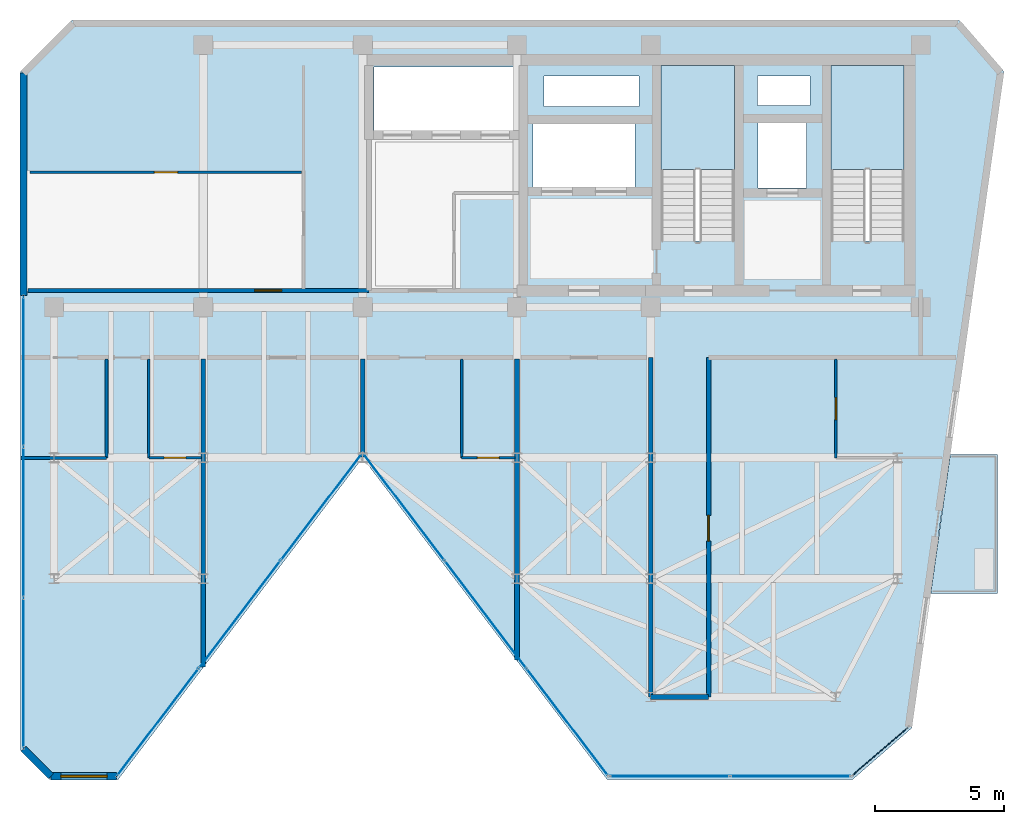
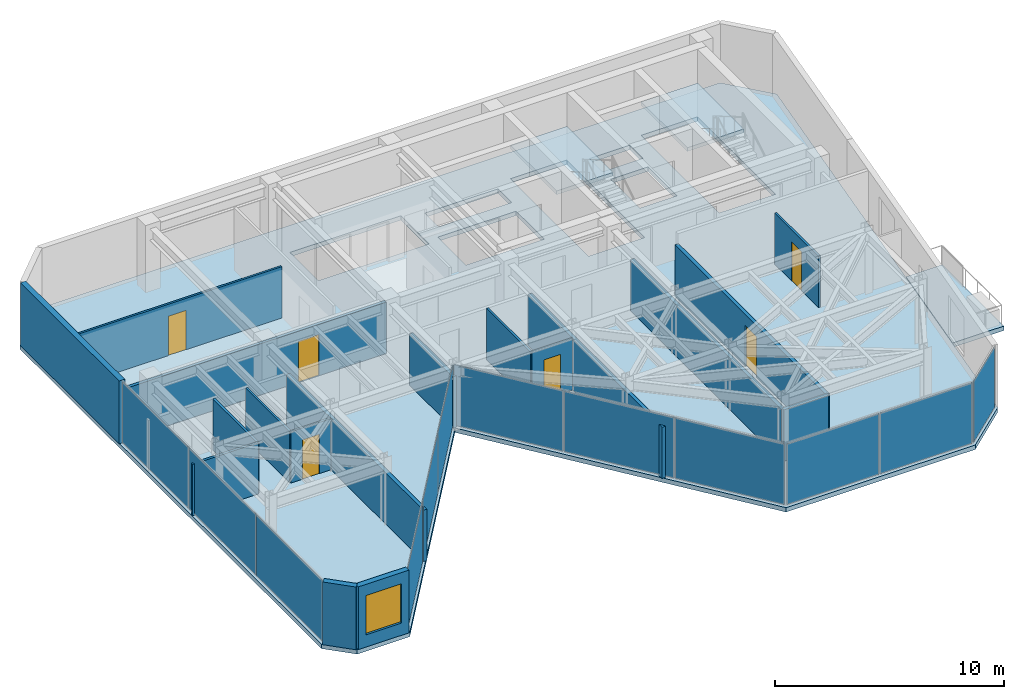
# One storey, part 13 of 17: 18 walls, 12 plates, 6 doors, 4 slabs, 1 window, 7 openings, 7 elements without a shape of their own.
"""IFC4 building model written with IfcOpenShell, lengths in metres."""

from ifc_helpers import new_model, si_unit, direction, frame, frame_2d, origin, origin_2d, place, context, subcontext, project, spatial, polyline, rectangle, outline, extrude, material, layer, layer_set, type_object, element, fill, aggregate, save


model = new_model("IFC4")

# Units and contexts
model_context = context("Model", 3, precision=1e-05, world=origin(), true_north=direction((0.0, 1.0)))
body_context = subcontext(model_context, "Body", "Model", "MODEL_VIEW")
ifc_project = project(units=[si_unit("LENGTHUNIT", "METRE"), si_unit("AREAUNIT", "SQUARE_METRE"), si_unit("VOLUMEUNIT", "CUBIC_METRE"), si_unit("PLANEANGLEUNIT", "RADIAN"), si_unit("MASSUNIT", "GRAM", prefix="KILO")], contexts=[model_context])

# Site, building, storey
site_placement = place(None, origin())
site = spatial("IfcSite", under=ifc_project, at=site_placement, CompositionType="ELEMENT")
building_placement = place(site_placement, origin())
building = spatial("IfcBuilding", under=site, at=building_placement, Name="Kravanh Interchange Tower", CompositionType="ELEMENT")
storey_placement = place(building_placement, frame((0.0, 0.0, 293.10009765625)))
storey = spatial("IfcBuildingStorey", under=building, at=storey_placement, Name="L72", CompositionType="ELEMENT", Elevation=293.10009765625)

# Curtain wall, plates
ifc_material_1 = material(Name="Anodised Bronze Aluminium", Category="aluminium")
ifc_layer_1 = layer(ifc_material_1, 0.179931640625)
ifc_layer_set_1 = layer_set([ifc_layer_1], Name="Unitised Curtain Wall System CW-HTL Luxury Hotel")
curtain_wall_type = type_object("IfcCurtainWallType", Name="Unitised Curtain Wall System CW-HTL Luxury Hotel", PredefinedType="NOTDEFINED", material=ifc_layer_set_1)
curtain_wall_1_placement = place(storey_placement, origin())
curtain_wall_1 = element("IfcCurtainWall", 1, at=curtain_wall_1_placement, inside=storey, type_object=curtain_wall_type, Name="L72 Unitised Curtain Wall CW-L72-01", PredefinedType="NOTDEFINED")
ifc_material_2 = material(Name="Low-E Laminated Architectural Glass", Category="glass")
ifc_layer_2 = layer(ifc_material_2, 0.030029296875)
ifc_layer_set_2 = layer_set([ifc_layer_2], Name="Acoustic Laminated Glazing 30mm")
plate_type = type_object("IfcPlateType", Name="Acoustic Laminated Glazing 30mm", PredefinedType="CURTAIN_PANEL", material=ifc_layer_set_2)
plate_1_placement = place(storey_placement, frame((31.6201171875, 23.1396484375, 0.059814453125), z_axis=(0.0, 0.0, 1.0), x_axis=(0.0, 1.0, 0.0)))
plate_1 = element("IfcPlate", 2, at=plate_1_placement, type_object=plate_type, Name="CW-HTL panel 1.1", PredefinedType="CURTAIN_PANEL", context=body_context, shape_type="SweptSolid", body=[
    extrude(rectangle(XDim=5.780029296875, YDim=0.030029296875, at=origin_2d()), origin(), (0.0, 0.0, 1.0), 3.22998046875),
])
plate_2_placement = place(storey_placement, frame((31.6201171875, 28.994873046875, 0.059814453125), z_axis=(0.0, 0.0, 1.0), x_axis=(0.0, 1.0, 0.0)))
plate_2 = element("IfcPlate", 3, at=plate_2_placement, type_object=plate_type, Name="CW-HTL panel 2.1", PredefinedType="CURTAIN_PANEL", context=body_context, shape_type="SweptSolid", body=[
    extrude(rectangle(XDim=5.81005859375, YDim=0.030029296875, at=origin_2d()), origin(), (0.0, 0.0, 1.0), 3.22998046875),
])
plate_3_placement = place(storey_placement, frame((31.6201171875, 34.849853515625, 0.059814453125), z_axis=(0.0, 0.0, 1.0), x_axis=(0.0, 1.0, 0.0)))
plate_3 = element("IfcPlate", 4, at=plate_3_placement, type_object=plate_type, Name="CW-HTL panel 3.1", PredefinedType="CURTAIN_PANEL", context=body_context, shape_type="SweptSolid", body=[
    extrude(rectangle(XDim=5.780029296875, YDim=0.030029296875, at=origin_2d()), origin(), (0.0, 0.0, 1.0), 3.22998046875),
])
aggregate(curtain_wall_1, [plate_1, plate_2, plate_3])

# Curtain wall, plate
curtain_wall_2_placement = place(storey_placement, origin())
curtain_wall_2 = element("IfcCurtainWall", 5, at=curtain_wall_2_placement, inside=storey, type_object=curtain_wall_type, Name="L72 Unitised Curtain Wall CW-L72-02", PredefinedType="NOTDEFINED")
plate_4_placement = place(storey_placement, frame((64.91455078125, 20.080810546875, 0.059814453125), z_axis=(0.0, 0.0, 1.0), x_axis=(-0.75473192521, -0.656033323139, 0.0)))
plate_4 = element("IfcPlate", 6, at=plate_4_placement, type_object=plate_type, Name="CW-HTL panel 1.1", PredefinedType="CURTAIN_PANEL", context=body_context, shape_type="SweptSolid", body=[
    extrude(rectangle(XDim=2.80908203125, YDim=0.030029296875, at=origin_2d()), origin(), (0.0, 0.0, 1.0), 3.22998046875),
])
aggregate(curtain_wall_2, [plate_4])

# Curtain wall, plates
curtain_wall_3_placement = place(storey_placement, origin())
curtain_wall_3 = element("IfcCurtainWall", 7, at=curtain_wall_3_placement, inside=storey, type_object=curtain_wall_type, Name="L72 Unitised Curtain Wall CW-L72-03", PredefinedType="NOTDEFINED")
plate_5_placement = place(storey_placement, frame((61.431640625, 19.1201171875, 0.059814453125), z_axis=(0.0, 0.0, 1.0), x_axis=(-1.0, 0.0, 0.0)))
plate_5 = element("IfcPlate", 8, at=plate_5_placement, type_object=plate_type, Name="CW-HTL panel 1.1", PredefinedType="CURTAIN_PANEL", context=body_context, shape_type="SweptSolid", body=[
    extrude(rectangle(XDim=4.634765625, YDim=0.030029296875, at=origin_2d()), origin(), (0.0, 0.0, 1.0), 3.22998046875),
])
plate_6_placement = place(storey_placement, frame((56.73681640625, 19.1201171875, 0.059814453125), z_axis=(0.0, 0.0, 1.0), x_axis=(-1.0, 0.0, 0.0)))
plate_6 = element("IfcPlate", 9, at=plate_6_placement, type_object=plate_type, Name="CW-HTL panel 2.1", PredefinedType="CURTAIN_PANEL", context=body_context, shape_type="SweptSolid", body=[
    extrude(rectangle(XDim=4.634765625, YDim=0.030029296875, at=origin_2d()), origin(), (0.0, 0.0, 1.0), 3.22998046875),
])
aggregate(curtain_wall_3, [plate_5, plate_6])

curtain_wall_4_placement = place(storey_placement, origin())
curtain_wall_4 = element("IfcCurtainWall", 10, at=curtain_wall_4_placement, inside=storey, type_object=curtain_wall_type, Name="L72 Unitised Curtain Wall CW-L72-04", PredefinedType="NOTDEFINED")
plate_7_placement = place(storey_placement, frame((52.757080078125, 21.228271484375, 0.059814453125), z_axis=(0.0, 0.0, 1.0), x_axis=(-0.605082946564, 0.79616243806, 0.0)))
plate_7 = element("IfcPlate", 11, at=plate_7_placement, type_object=plate_type, Name="CW-HTL panel 1.1", PredefinedType="CURTAIN_PANEL", context=body_context, shape_type="SweptSolid", body=[
    extrude(rectangle(XDim=5.17626953125, YDim=0.030029296875, at=origin_2d()), origin(), (0.0, 0.0, 1.0), 3.22998046875),
])
plate_8_placement = place(storey_placement, frame((49.579833984375, 25.4091796875, 0.059814453125), z_axis=(0.0, 0.0, 1.0), x_axis=(-0.605082946564, 0.79616243806, 0.0)))
plate_8 = element("IfcPlate", 12, at=plate_8_placement, type_object=plate_type, Name="CW-HTL panel 2.1", PredefinedType="CURTAIN_PANEL", context=body_context, shape_type="SweptSolid", body=[
    extrude(rectangle(XDim=5.206298828125, YDim=0.030029296875, at=origin_2d()), origin(), (0.0, 0.0, 1.0), 3.22998046875),
])
plate_9_placement = place(storey_placement, frame((46.40234375, 29.590087890625, 0.059814453125), z_axis=(0.0, 0.0, 1.0), x_axis=(-0.605082946564, 0.79616243806, 0.0)))
plate_9 = element("IfcPlate", 13, at=plate_9_placement, type_object=plate_type, Name="CW-HTL panel 3.1", PredefinedType="CURTAIN_PANEL", context=body_context, shape_type="SweptSolid", body=[
    extrude(rectangle(XDim=5.17626953125, YDim=0.030029296875, at=origin_2d()), origin(), (0.0, 0.0, 1.0), 3.22998046875),
])
aggregate(curtain_wall_4, [plate_7, plate_8, plate_9])

curtain_wall_5_placement = place(storey_placement, origin())
curtain_wall_5 = element("IfcCurtainWall", 14, at=curtain_wall_5_placement, inside=storey, type_object=curtain_wall_type, Name="L72 Unitised Curtain Wall CW-L72-05", PredefinedType="NOTDEFINED")
plate_10_placement = place(storey_placement, frame((43.19775390625, 29.590087890625, 0.059814453125), z_axis=(0.0, 0.0, 1.0), x_axis=(-0.605082946564, -0.79616243806, 0.0)))
plate_10 = element("IfcPlate", 15, at=plate_10_placement, type_object=plate_type, Name="CW-HTL panel 1.1", PredefinedType="CURTAIN_PANEL", context=body_context, shape_type="SweptSolid", body=[
    extrude(rectangle(XDim=5.17626953125, YDim=0.030029296875, at=origin_2d()), origin(), (0.0, 0.0, 1.0), 3.22998046875),
])
plate_11_placement = place(storey_placement, frame((40.020263671875, 25.4091796875, 0.059814453125), z_axis=(0.0, 0.0, 1.0), x_axis=(-0.605082946564, -0.79616243806, 0.0)))
plate_11 = element("IfcPlate", 16, at=plate_11_placement, type_object=plate_type, Name="CW-HTL panel 2.1", PredefinedType="CURTAIN_PANEL", context=body_context, shape_type="SweptSolid", body=[
    extrude(rectangle(XDim=5.206298828125, YDim=0.030029296875, at=origin_2d()), origin(), (0.0, 0.0, 1.0), 3.22998046875),
])
plate_12_placement = place(storey_placement, frame((36.8427734375, 21.228271484375, 0.059814453125), z_axis=(0.0, 0.0, 1.0), x_axis=(-0.605082946564, -0.79616243806, 0.0)))
plate_12 = element("IfcPlate", 17, at=plate_12_placement, type_object=plate_type, Name="CW-HTL panel 3.1", PredefinedType="CURTAIN_PANEL", context=body_context, shape_type="SweptSolid", body=[
    extrude(rectangle(XDim=5.17626953125, YDim=0.030029296875, at=origin_2d()), origin(), (0.0, 0.0, 1.0), 3.22998046875),
])
aggregate(curtain_wall_5, [plate_10, plate_11, plate_12])

# Slab
ifc_material_3 = material(Name="Concrete C50/60", Category="concrete")
ifc_layer_3 = layer(ifc_material_3, 0.235107421875)
ifc_layer_set_3 = layer_set([ifc_layer_3], Name="Composite Floor Slab Concrete C50/60 235mm")
slab_type_1 = type_object("IfcSlabType", Name="Composite Floor Slab Concrete C50/60 235mm", PredefinedType="FLOOR", material=ifc_layer_set_3)
slab_1_placement = place(storey_placement, frame((0.0, 0.0, -0.235107421875)))
element("IfcSlab", 18, at=slab_1_placement, inside=storey, type_object=slab_type_1, Name="L72 Structural Floor Slab", PredefinedType="FLOOR", context=body_context, shape_type="SweptSolid", body=[
    extrude(outline(polyline([(31.5, 20.139892578125), (32.639892578125, 19.0), (35.300048828125, 19.0), (44.800048828125, 31.5), (54.300048828125, 19.0), (63.85400390625, 19.0), (66.13232421875, 20.98046875), (69.7216796875, 46.51953125), (68.0, 48.5), (33.5, 48.5), (31.5, 46.5), (31.5, 20.139892578125)]), holes=[polyline([(65.85009765625, 39.925048828125), (65.85009765625, 46.75), (63.0, 46.75), (63.0, 39.925048828125), (65.85009765625, 39.925048828125)]), polyline([(59.25, 39.925048828125), (59.25, 46.75), (56.39990234375, 46.75), (56.39990234375, 39.925048828125), (59.25, 39.925048828125)]), polyline([(45.239990234375, 44.219970703125), (50.840087890625, 44.219970703125), (50.840087890625, 46.699951171875), (45.239990234375, 46.699951171875), (45.239990234375, 44.219970703125)]), polyline([(51.419921875, 42.02001953125), (55.3798828125, 42.02001953125), (55.3798828125, 44.47998046875), (51.419921875, 44.47998046875), (51.419921875, 42.02001953125)]), polyline([(60.179931640625, 41.97998046875), (62.06005859375, 41.97998046875), (62.06005859375, 44.52001953125), (60.179931640625, 44.52001953125), (60.179931640625, 41.97998046875)]), polyline([(60.14990234375, 45.199951171875), (62.199951171875, 45.199951171875), (62.199951171875, 46.35009765625), (60.14990234375, 46.35009765625), (60.14990234375, 45.199951171875)]), polyline([(51.85009765625, 45.14990234375), (55.550048828125, 45.14990234375), (55.550048828125, 46.35009765625), (51.85009765625, 46.35009765625), (51.85009765625, 45.14990234375)])]), origin(), (0.0, 0.0, 1.0), 0.235107421875),
])

# Stair, slab
ifc_material_4 = material(Name="Concrete C50/60", Category="concrete")
stair_type = type_object("IfcStairType", Name="Core Fire Exit Dogleg Stair Concrete C50/60", PredefinedType="HALF_TURN_STAIR", material=ifc_material_4)
stair_1_placement = place(storey_placement, origin())
stair_1 = element("IfcStair", 19, at=stair_1_placement, inside=storey, type_object=stair_type, Name="L72 Exit Stair ST1", PredefinedType="HALF_TURN_STAIR")
ifc_material_5 = material(Name="Concrete C50/60", Category="concrete")
ifc_layer_4 = layer(ifc_material_5, 0.199951171875)
ifc_layer_set_4 = layer_set([ifc_layer_4], Name="Concrete C50/60 Stair Half-Landing Slab 200mm")
slab_type_2 = type_object("IfcSlabType", Name="Concrete C50/60 Stair Half-Landing Slab 200mm", PredefinedType="LANDING", material=ifc_layer_set_4)
slab_2_placement = place(storey_placement, frame((0.0, 0.0, 1.599853515625)))
slab_2 = element("IfcSlab", 20, at=slab_2_placement, type_object=slab_type_2, Name="ST1 landing 1", PredefinedType="LANDING", context=body_context, shape_type="SweptSolid", body=[
    extrude(outline(polyline([(65.85009765625, 42.699951171875), (65.85009765625, 46.75), (63.0, 46.75), (63.0, 42.699951171875), (65.85009765625, 42.699951171875)])), origin(), (0.0, 0.0, 1.0), 0.199951171875),
])
aggregate(stair_1, [slab_2])

stair_2_placement = place(storey_placement, origin())
stair_2 = element("IfcStair", 21, at=stair_2_placement, inside=storey, type_object=stair_type, Name="L72 Exit Stair ST2", PredefinedType="HALF_TURN_STAIR")
slab_3_placement = place(storey_placement, frame((0.0, 0.0, 1.599853515625)))
slab_3 = element("IfcSlab", 22, at=slab_3_placement, type_object=slab_type_2, Name="ST2 landing 1", PredefinedType="LANDING", context=body_context, shape_type="SweptSolid", body=[
    extrude(outline(polyline([(59.25, 42.699951171875), (59.25, 46.75), (56.39990234375, 46.75), (56.39990234375, 42.699951171875), (59.25, 42.699951171875)])), origin(), (0.0, 0.0, 1.0), 0.199951171875),
])
aggregate(stair_2, [slab_3])

# Slab
ifc_material_6 = material(Name="Concrete C50/60", Category="concrete")
ifc_layer_5 = layer(ifc_material_6, 0.199951171875)
ifc_layer_set_5 = layer_set([ifc_layer_5], Name="Planted Tree Balcony Slab Concrete C50/60 200mm")
slab_type_3 = type_object("IfcSlabType", Name="Planted Tree Balcony Slab Concrete C50/60 200mm", PredefinedType="USERDEFINED", material=ifc_layer_set_5)
slab_4_placement = place(storey_placement, frame((0.0, 0.0, -0.235107421875)))
element("IfcSlab", 23, at=slab_4_placement, inside=storey, type_object=slab_type_3, Name="L72 East Tree Planter Balcony Slab", ObjectType="BALCONY", PredefinedType="USERDEFINED", context=body_context, shape_type="SweptSolid", body=[
    extrude(outline(polyline([(69.47900390625, 31.6298828125), (69.47900390625, 26.22998046875), (66.88525390625, 26.22998046875), (67.644287109375, 31.6298828125), (69.47900390625, 31.6298828125)])), origin(), (0.0, 0.0, 1.0), 0.235107421875),
])

# Walls
ifc_material_7 = material(Name="Double Acoustic Gypsum Board and Mineral Wool")
ifc_layer_6 = layer(ifc_material_7, 0.1201171875)
ifc_layer_set_6 = layer_set([ifc_layer_6], Name="Acoustic Office Drywall Partition 120mm")
wall_type_1 = type_object("IfcWallType", Name="Acoustic Office Drywall Partition 120mm", PredefinedType="PARTITIONING", material=ifc_layer_set_6)
wall_1_placement = place(storey_placement, frame((34.840087890625, 31.5, 0.0), z_axis=(0.0, 0.0, 1.0), x_axis=(0.0, 1.0, 0.0)))
element("IfcWall", 24, at=wall_1_placement, inside=storey, type_object=wall_type_1, Name="L72 Interior Partition 15", PredefinedType="PARTITIONING", context=body_context, shape_type="SweptSolid", body=[
    extrude(rectangle(XDim=3.83203125, YDim=0.1201171875, at=frame_2d((1.916015625, 0.0))), origin(), (0.0, 0.0, 1.0), 2.739013671875),
])
wall_2_placement = place(storey_placement, frame((31.514892578125, 31.5, 0.0), z_axis=(0.0, 0.0, 1.0), x_axis=(1.0, 0.0, 0.0)))
element("IfcWall", 25, at=wall_2_placement, inside=storey, type_object=wall_type_1, Name="L72 Interior Partition 16", PredefinedType="PARTITIONING", context=body_context, shape_type="SweptSolid", body=[
    extrude(rectangle(XDim=3.3251953125, YDim=0.1201171875, at=frame_2d((1.66259765625, 0.0))), origin(), (0.0, 0.0, 1.0), 2.739013671875),
])

# Wall, opening, door
ifc_material_8 = material(Name="Moisture-Resistant Gypsum Board and Mineral Wool")
ifc_layer_7 = layer(ifc_material_8, 0.10009765625)
ifc_layer_set_7 = layer_set([ifc_layer_7], Name="En-Suite Moisture-Resistant Partition 100mm")
wall_type_2 = type_object("IfcWallType", Name="En-Suite Moisture-Resistant Partition 100mm", PredefinedType="PARTITIONING", material=ifc_layer_set_7)
wall_3_placement = place(storey_placement, frame((31.8779296875, 42.60009765625, 0.0), z_axis=(0.0, 0.0, 1.0), x_axis=(1.0, 0.0, 0.0)))
wall_3 = element("IfcWall", 26, at=wall_3_placement, inside=storey, type_object=wall_type_2, Name="L72 Interior Partition 8", PredefinedType="PARTITIONING", context=body_context, shape_type="SweptSolid", body=[
    extrude(rectangle(XDim=10.553955078125, YDim=0.10009765625, at=frame_2d((5.27685546875, 0.0))), origin(), (0.0, 0.0, 1.0), 2.739013671875),
])
opening_1_placement = place(wall_3_placement, frame((4.826904296875, 0.0, 0.0)))
opening_1 = element("IfcOpeningElement", 27, at=opening_1_placement, cuts=wall_3, Name="Opening D-90", PredefinedType="OPENING", context=body_context, shape_type="SweptSolid", body=[
    extrude(rectangle(XDim=0.89990234375, YDim=2.10009765625, at=frame_2d((0.449951171875, 1.050048828125))), frame((0.0, 0.06005859375, 0.0), z_axis=(0.0, -1.0, 0.0), x_axis=(1.0, 0.0, 0.0)), (0.0, 0.0, 1.0), 0.1201171875),
])
ifc_material_9 = material(Name="Painted Solid-Core Timber", Category="wood")
door_type_1 = type_object("IfcDoorType", Name="Service Room Door 900x2100", OperationType="NOTDEFINED", PredefinedType="DOOR", material=ifc_material_9)
door_1_placement = place(opening_1_placement, origin())
door_1 = element("IfcDoor", 28, at=door_1_placement, inside=storey, type_object=door_type_1, Name="L72 Quiet Reading Alcove Inner Door", OperationType="SINGLE_SWING_LEFT", OverallHeight=2.10009765625, OverallWidth=0.89990234375, PredefinedType="DOOR", context=body_context, shape_type="SweptSolid", body=[
    extrude(rectangle(XDim=0.89990234375, YDim=2.10009765625, at=frame_2d((0.449951171875, 1.050048828125))), frame((0.0, 0.02490234375, 0.0), z_axis=(0.0, -1.0, 0.0), x_axis=(1.0, 0.0, 0.0)), (0.0, 0.0, 1.0), 0.050048828125),
])
fill(opening_1, door_1)

wall_4_placement = place(storey_placement, frame((63.199951171875, 31.5, 0.0), z_axis=(0.0, 0.0, 1.0), x_axis=(0.0, 1.0, 0.0)))
wall_4 = element("IfcWall", 29, at=wall_4_placement, inside=storey, type_object=wall_type_2, Name="L72 Interior Partition 18", PredefinedType="PARTITIONING", context=body_context, shape_type="SweptSolid", body=[
    extrude(rectangle(XDim=3.83203125, YDim=0.10009765625, at=frame_2d((1.916015625, 0.0))), origin(), (0.0, 0.0, 1.0), 2.739013671875),
])
opening_2_placement = place(wall_4_placement, frame((1.48486328125, 0.0, 0.0)))
opening_2 = element("IfcOpeningElement", 30, at=opening_2_placement, cuts=wall_4, Name="Opening D-85", PredefinedType="OPENING", context=body_context, shape_type="SweptSolid", body=[
    extrude(rectangle(XDim=0.85009765625, YDim=2.10009765625, at=frame_2d((0.425048828125, 1.050048828125))), frame((0.0, 0.06005859375, 0.0), z_axis=(0.0, -1.0, 0.0), x_axis=(1.0, 0.0, 0.0)), (0.0, 0.0, 1.0), 0.1201171875),
])
ifc_material_10 = material(Name="Engineered Teak Veneer Timber", Category="wood")
door_type_2 = type_object("IfcDoorType", Name="En-Suite Timber Door 850x2100", OperationType="NOTDEFINED", PredefinedType="DOOR", material=ifc_material_10)
door_2_placement = place(opening_2_placement, origin())
door_2 = element("IfcDoor", 31, at=door_2_placement, inside=storey, type_object=door_type_2, Name="L72 En-suite Bathroom Door", OperationType="SINGLE_SWING_LEFT", OverallHeight=2.10009765625, OverallWidth=0.85009765625, PredefinedType="DOOR", context=body_context, shape_type="SweptSolid", body=[
    extrude(rectangle(XDim=0.85009765625, YDim=2.10009765625, at=frame_2d((0.425048828125, 1.050048828125))), frame((0.0, 0.02490234375, 0.0), z_axis=(0.0, -1.0, 0.0), x_axis=(1.0, 0.0, 0.0)), (0.0, 0.0, 1.0), 0.050048828125),
])
fill(opening_2, door_2)

# Wall
wall_5_placement = place(storey_placement, frame((36.489990234375, 31.5, 0.0), z_axis=(0.0, 0.0, 1.0), x_axis=(0.0, 1.0, 0.0)))
element("IfcWall", 32, at=wall_5_placement, inside=storey, type_object=wall_type_2, Name="L72 Interior Partition 19", PredefinedType="PARTITIONING", context=body_context, shape_type="SweptSolid", body=[
    extrude(rectangle(XDim=3.83203125, YDim=0.10009765625, at=frame_2d((1.916015625, 0.0))), origin(), (0.0, 0.0, 1.0), 2.739013671875),
])

# Wall, opening, door
wall_6_placement = place(storey_placement, frame((36.489990234375, 31.5, 0.0), z_axis=(0.0, 0.0, 1.0), x_axis=(1.0, 0.0, 0.0)))
wall_6 = element("IfcWall", 33, at=wall_6_placement, inside=storey, type_object=wall_type_2, Name="L72 Interior Partition 20", PredefinedType="PARTITIONING", context=body_context, shape_type="SweptSolid", body=[
    extrude(rectangle(XDim=2.0419921875, YDim=0.10009765625, at=frame_2d((1.02099609375, 0.0))), origin(), (0.0, 0.0, 1.0), 2.739013671875),
])
opening_3_placement = place(wall_6_placement, frame((0.589111328125, 0.0, 0.0)))
opening_3 = element("IfcOpeningElement", 34, at=opening_3_placement, cuts=wall_6, Name="Opening D-85", PredefinedType="OPENING", context=body_context, shape_type="SweptSolid", body=[
    extrude(rectangle(XDim=0.85009765625, YDim=2.10009765625, at=frame_2d((0.425048828125, 1.050048828125))), frame((0.0, 0.06005859375, 0.0), z_axis=(0.0, -1.0, 0.0), x_axis=(1.0, 0.0, 0.0)), (0.0, 0.0, 1.0), 0.1201171875),
])
door_3_placement = place(opening_3_placement, origin())
door_3 = element("IfcDoor", 35, at=door_3_placement, inside=storey, type_object=door_type_2, Name="L72 En-suite Bathroom Door", OperationType="SINGLE_SWING_LEFT", OverallHeight=2.10009765625, OverallWidth=0.85009765625, PredefinedType="DOOR", context=body_context, shape_type="SweptSolid", body=[
    extrude(rectangle(XDim=0.85009765625, YDim=2.10009765625, at=frame_2d((0.425048828125, 1.050048828125))), frame((0.0, 0.02490234375, 0.0), z_axis=(0.0, -1.0, 0.0), x_axis=(1.0, 0.0, 0.0)), (0.0, 0.0, 1.0), 0.050048828125),
])
fill(opening_3, door_3)

# Wall
wall_7_placement = place(storey_placement, frame((48.64990234375, 31.5, 0.0), z_axis=(0.0, 0.0, 1.0), x_axis=(0.0, 1.0, 0.0)))
element("IfcWall", 36, at=wall_7_placement, inside=storey, type_object=wall_type_2, Name="L72 Interior Partition 23", PredefinedType="PARTITIONING", context=body_context, shape_type="SweptSolid", body=[
    extrude(rectangle(XDim=3.83203125, YDim=0.10009765625, at=frame_2d((1.916015625, 0.0))), origin(), (0.0, 0.0, 1.0), 2.739013671875),
])

# Wall, opening, door
wall_8_placement = place(storey_placement, frame((48.64990234375, 31.5, 0.0), z_axis=(0.0, 0.0, 1.0), x_axis=(1.0, 0.0, 0.0)))
wall_8 = element("IfcWall", 37, at=wall_8_placement, inside=storey, type_object=wall_type_2, Name="L72 Interior Partition 24", PredefinedType="PARTITIONING", context=body_context, shape_type="SweptSolid", body=[
    extrude(rectangle(XDim=2.08203125, YDim=0.10009765625, at=frame_2d((1.041015625, 0.0))), origin(), (0.0, 0.0, 1.0), 2.739013671875),
])
opening_4_placement = place(wall_8_placement, frame((0.607421875, 0.0, 0.0)))
opening_4 = element("IfcOpeningElement", 38, at=opening_4_placement, cuts=wall_8, Name="Opening D-85", PredefinedType="OPENING", context=body_context, shape_type="SweptSolid", body=[
    extrude(rectangle(XDim=0.85009765625, YDim=2.10009765625, at=frame_2d((0.425048828125, 1.050048828125))), frame((0.0, 0.06005859375, 0.0), z_axis=(0.0, -1.0, 0.0), x_axis=(1.0, 0.0, 0.0)), (0.0, 0.0, 1.0), 0.1201171875),
])
door_4_placement = place(opening_4_placement, origin())
door_4 = element("IfcDoor", 39, at=door_4_placement, inside=storey, type_object=door_type_2, Name="L72 En-suite Bathroom Door", OperationType="SINGLE_SWING_RIGHT", OverallHeight=2.10009765625, OverallWidth=0.85009765625, PredefinedType="DOOR", context=body_context, shape_type="SweptSolid", body=[
    extrude(rectangle(XDim=0.85009765625, YDim=2.10009765625, at=frame_2d((0.425048828125, 1.050048828125))), frame((0.0, 0.02490234375, 0.0), z_axis=(0.0, -1.0, 0.0), x_axis=(1.0, 0.0, 0.0)), (0.0, 0.0, 1.0), 0.050048828125),
])
fill(opening_4, door_4)

# Wall
ifc_material_11 = material(Name="Insulated Precast Concrete C40/50 with Bronze Cladding", Category="concrete")
ifc_layer_8 = layer(ifc_material_11, 0.280029296875)
ifc_layer_set_8 = layer_set([ifc_layer_8], Name="Exterior Insulated Concrete C40/50 Bronze Spandrel Wall 280mm")
wall_type_3 = type_object("IfcWallType", Name="Exterior Insulated Concrete C40/50 Bronze Spandrel Wall 280mm", PredefinedType="STANDARD", material=ifc_layer_set_8)
wall_9_placement = place(storey_placement, frame((31.6201171875, 37.800048828125, 0.0), z_axis=(0.0, 0.0, 1.0), x_axis=(0.0, 1.0, 0.0)))
element("IfcWall", 40, at=wall_9_placement, inside=storey, type_object=wall_type_3, Name="L72 Exterior Wall 1", PredefinedType="STANDARD", context=body_context, shape_type="SweptSolid", body=[
    extrude(rectangle(XDim=8.650146484375, YDim=0.280029296875, at=frame_2d((4.3251953125, 0.0))), origin(), (0.0, 0.0, 1.0), 3.349853515625),
])

# Wall, opening, window
wall_10_placement = place(storey_placement, frame((35.240478515625, 19.1201171875, 0.0), z_axis=(0.0, 0.0, 1.0), x_axis=(-1.0, 0.0, 0.0)))
wall_10 = element("IfcWall", 41, at=wall_10_placement, inside=storey, type_object=wall_type_3, Name="L72 Exterior Wall 7", PredefinedType="STANDARD", context=body_context, shape_type="SweptSolid", body=[
    extrude(rectangle(XDim=2.55078125, YDim=0.280029296875, at=frame_2d((1.275390625, 0.0))), origin(), (0.0, 0.0, 1.0), 3.349853515625),
])
opening_5_placement = place(wall_10_placement, frame((0.369873046875, 0.0, 0.64990234375)))
opening_5 = element("IfcOpeningElement", 42, at=opening_5_placement, cuts=wall_10, Name="Opening WN-180X210", PredefinedType="OPENING", context=body_context, shape_type="SweptSolid", body=[
    extrude(rectangle(XDim=1.800048828125, YDim=2.10009765625, at=frame_2d((0.89990234375, 1.050048828125))), frame((0.0, 0.14990234375, 0.0), z_axis=(0.0, -1.0, 0.0), x_axis=(1.0, 0.0, 0.0)), (0.0, 0.0, 1.0), 0.300048828125),
])
ifc_material_12 = material(Name="Thermally Broken Bronze Aluminium and Low-E Glass", Category="aluminium")
window_type = type_object("IfcWindowType", Name="Tower Pier Window 1800x2100", PartitioningType="SINGLE_PANEL", PredefinedType="WINDOW", material=ifc_material_12)
window_placement = place(opening_5_placement, origin())
window = element("IfcWindow", 43, at=window_placement, inside=storey, type_object=window_type, Name="L72 Corner Window 7", OverallHeight=2.10009765625, OverallWidth=1.800048828125, PartitioningType="SINGLE_PANEL", PredefinedType="WINDOW", context=body_context, shape_type="SweptSolid", body=[
    extrude(rectangle(XDim=1.800048828125, YDim=2.10009765625, at=frame_2d((0.89990234375, 1.050048828125))), frame((0.0, 0.030029296875, 0.0), z_axis=(0.0, -1.0, 0.0), x_axis=(1.0, 0.0, 0.0)), (0.0, 0.0, 1.0), 0.06005859375),
])
fill(opening_5, window)

# Walls
wall_11_placement = place(storey_placement, frame((32.689697265625, 19.1201171875, 0.0), z_axis=(0.0, 0.0, 1.0), x_axis=(-0.707106781187, 0.707106781187, 0.0)))
element("IfcWall", 44, at=wall_11_placement, inside=storey, type_object=wall_type_3, Name="L72 Exterior Wall 8", PredefinedType="STANDARD", context=body_context, shape_type="SweptSolid", body=[
    extrude(rectangle(XDim=1.5126953125, YDim=0.280029296875, at=frame_2d((0.75634765625, 0.0))), origin(), (0.0, 0.0, 1.0), 3.349853515625),
])
ifc_material_13 = material(Name="Autoclaved Aerated Concrete C30/37 Blockwork", Category="masonry")
ifc_layer_9 = layer(ifc_material_13, 0.179931640625)
ifc_layer_set_9 = layer_set([ifc_layer_9], Name="Fire-Rated Lobby and Corridor Wall Concrete C30/37 180mm")
wall_type_4 = type_object("IfcWallType", Name="Fire-Rated Lobby and Corridor Wall Concrete C30/37 180mm", PredefinedType="STANDARD", material=ifc_layer_set_9)
wall_12_placement = place(storey_placement, frame((56.0, 22.199951171875, 0.0), z_axis=(0.0, 0.0, 1.0), x_axis=(0.0, 1.0, 0.0)))
element("IfcWall", 45, at=wall_12_placement, inside=storey, type_object=wall_type_4, Name="L72 Interior Partition 12", PredefinedType="STANDARD", context=body_context, shape_type="SweptSolid", body=[
    extrude(rectangle(XDim=13.199951171875, YDim=0.179931640625, at=frame_2d((6.60009765625, 0.0))), origin(), (0.0, 0.0, 1.0), 2.739013671875),
])

# Wall, opening, door
wall_13_placement = place(storey_placement, frame((58.25, 22.199951171875, 0.0), z_axis=(0.0, 0.0, 1.0), x_axis=(0.0, 1.0, 0.0)))
wall_13 = element("IfcWall", 46, at=wall_13_placement, inside=storey, type_object=wall_type_4, Name="L72 Interior Partition 13", PredefinedType="STANDARD", context=body_context, shape_type="SweptSolid", body=[
    extrude(rectangle(XDim=13.199951171875, YDim=0.179931640625, at=frame_2d((6.60009765625, 0.0))), origin(), (0.0, 0.0, 1.0), 2.739013671875),
])
opening_6_placement = place(wall_13_placement, frame((6.06005859375, 0.0, 0.0)))
opening_6 = element("IfcOpeningElement", 47, at=opening_6_placement, cuts=wall_13, Name="Opening D-HOTEL-100", PredefinedType="OPENING", context=body_context, shape_type="SweptSolid", body=[
    extrude(rectangle(XDim=1.0, YDim=2.14990234375, at=frame_2d((0.5, 1.074951171875))), frame((0.0, 0.10009765625, 0.0), z_axis=(0.0, -1.0, 0.0), x_axis=(1.0, 0.0, 0.0)), (0.0, 0.0, 1.0), 0.199951171875),
])
ifc_material_14 = material(Name="Fire-Rated Solid Timber Leaf", Category="wood")
door_type_3 = type_object("IfcDoorType", Name="Fire-Rated Suite Entrance Door 1000x2150", OperationType="NOTDEFINED", PredefinedType="DOOR", material=ifc_material_14)
door_5_placement = place(opening_6_placement, origin())
door_5 = element("IfcDoor", 48, at=door_5_placement, inside=storey, type_object=door_type_3, Name="L72 Royal Panorama Hotel Suite Entrance Door", OperationType="SINGLE_SWING_RIGHT", OverallHeight=2.14990234375, OverallWidth=1.0, PredefinedType="DOOR", context=body_context, shape_type="SweptSolid", body=[
    extrude(rectangle(XDim=1.0, YDim=2.14990234375, at=frame_2d((0.5, 1.074951171875))), frame((0.0, 0.02490234375, 0.0), z_axis=(0.0, -1.0, 0.0), x_axis=(1.0, 0.0, 0.0)), (0.0, 0.0, 1.0), 0.050048828125),
])
fill(opening_6, door_5)

# Walls
wall_14_placement = place(storey_placement, frame((56.0, 22.199951171875, 0.0), z_axis=(0.0, 0.0, 1.0), x_axis=(1.0, 0.0, 0.0)))
element("IfcWall", 49, at=wall_14_placement, inside=storey, type_object=wall_type_4, Name="L72 Interior Partition 14", PredefinedType="STANDARD", context=body_context, shape_type="SweptSolid", body=[
    extrude(rectangle(XDim=2.25, YDim=0.179931640625, at=frame_2d((1.125, 0.0))), origin(), (0.0, 0.0, 1.0), 2.739013671875),
])
wall_15_placement = place(storey_placement, frame((38.60009765625, 23.366943359375, 0.0), z_axis=(0.0, 0.0, 1.0), x_axis=(0.0, 1.0, 0.0)))
element("IfcWall", 50, at=wall_15_placement, inside=storey, type_object=wall_type_4, Name="L72 Interior Partition 21", PredefinedType="STANDARD", context=body_context, shape_type="SweptSolid", body=[
    extrude(rectangle(XDim=11.965087890625, YDim=0.179931640625, at=frame_2d((5.982421875, 0.0))), origin(), (0.0, 0.0, 1.0), 2.739013671875),
])
wall_16_placement = place(storey_placement, frame((44.800048828125, 31.52490234375, 0.0), z_axis=(0.0, 0.0, 1.0), x_axis=(0.0, 1.0, 0.0)))
element("IfcWall", 51, at=wall_16_placement, inside=storey, type_object=wall_type_4, Name="L72 Interior Partition 22", PredefinedType="STANDARD", context=body_context, shape_type="SweptSolid", body=[
    extrude(rectangle(XDim=3.80712890625, YDim=0.179931640625, at=frame_2d((1.903564453125, 0.0))), origin(), (0.0, 0.0, 1.0), 2.739013671875),
])
wall_17_placement = place(storey_placement, frame((50.800048828125, 23.630126953125, 0.0), z_axis=(0.0, 0.0, 1.0), x_axis=(0.0, 1.0, 0.0)))
element("IfcWall", 52, at=wall_17_placement, inside=storey, type_object=wall_type_4, Name="L72 Interior Partition 25", PredefinedType="STANDARD", context=body_context, shape_type="SweptSolid", body=[
    extrude(rectangle(XDim=11.701904296875, YDim=0.179931640625, at=frame_2d((5.85107421875, 0.0))), origin(), (0.0, 0.0, 1.0), 2.739013671875),
])

# Wall, opening, door
ifc_material_15 = material(Name="Twin Stud Acoustic Gypsum Board Wall")
ifc_layer_10 = layer(ifc_material_15, 0.14990234375)
ifc_layer_set_10 = layer_set([ifc_layer_10], Name="Medium-Duty Acoustic Partition 150mm")
wall_type_5 = type_object("IfcWallType", Name="Medium-Duty Acoustic Partition 150mm", PredefinedType="PARTITIONING", material=ifc_layer_set_10)
wall_18_placement = place(storey_placement, frame((31.784912109375, 38.0, 0.0), z_axis=(0.0, 0.0, 1.0), x_axis=(1.0, 0.0, 0.0)))
wall_18 = element("IfcWall", 53, at=wall_18_placement, inside=storey, type_object=wall_type_5, Name="L72 Interior Partition 5", PredefinedType="PARTITIONING", context=body_context, shape_type="SweptSolid", body=[
    extrude(rectangle(XDim=13.26513671875, YDim=0.14990234375, at=frame_2d((6.632568359375, 0.0))), origin(), (0.0, 0.0, 1.0), 2.739013671875),
])
opening_7_placement = place(wall_18_placement, frame((8.81494140625, 0.0, 0.0)))
opening_7 = element("IfcOpeningElement", 54, at=opening_7_placement, cuts=wall_18, Name="Opening D-105", PredefinedType="OPENING", context=body_context, shape_type="SweptSolid", body=[
    extrude(rectangle(XDim=1.050048828125, YDim=2.199951171875, at=frame_2d((0.52490234375, 1.10009765625))), frame((0.0, 0.0849609375, 0.0), z_axis=(0.0, -1.0, 0.0), x_axis=(1.0, 0.0, 0.0)), (0.0, 0.0, 1.0), 0.169921875),
])
ifc_material_16 = material(Name="Acoustic Glazed Oak and Aluminium", Category="aluminium")
door_type_4 = type_object("IfcDoorType", Name="Office Workplace Door 1050x2200", OperationType="NOTDEFINED", PredefinedType="DOOR", material=ifc_material_16)
door_6_placement = place(opening_7_placement, origin())
door_6 = element("IfcDoor", 55, at=door_6_placement, inside=storey, type_object=door_type_4, Name="L72 Executive Business Study Door", OperationType="SINGLE_SWING_RIGHT", OverallHeight=2.199951171875, OverallWidth=1.050048828125, PredefinedType="DOOR", context=body_context, shape_type="SweptSolid", body=[
    extrude(rectangle(XDim=1.050048828125, YDim=2.199951171875, at=frame_2d((0.52490234375, 1.10009765625))), frame((0.0, 0.02490234375, 0.0), z_axis=(0.0, -1.0, 0.0), x_axis=(1.0, 0.0, 0.0)), (0.0, 0.0, 1.0), 0.050048828125),
])
fill(opening_7, door_6)

save(model, "model.ifc")
